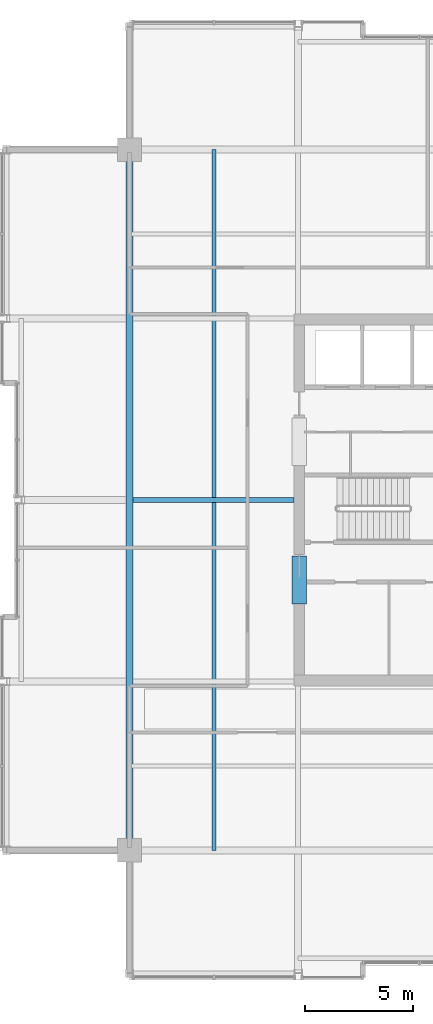
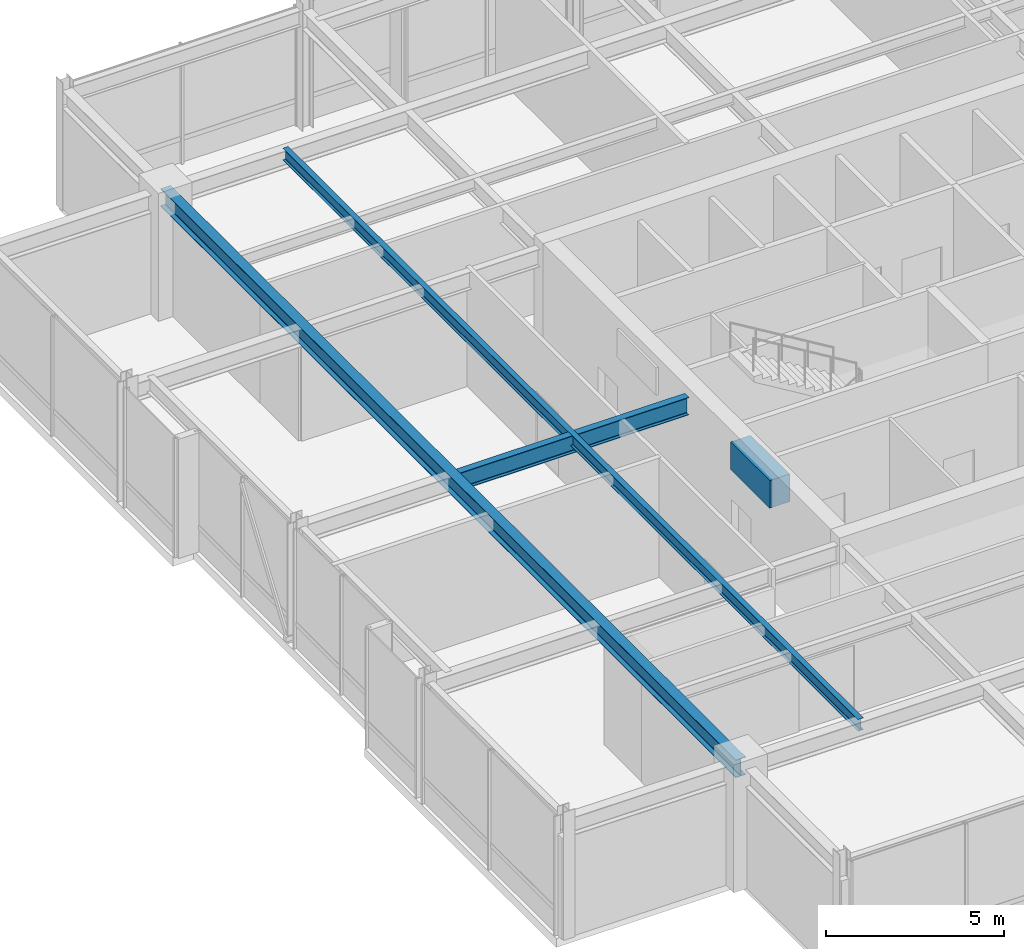
# One storey, part 13 of 34: 4 beams.
"""IFC4 building model written with IfcOpenShell, lengths in metres."""

from ifc_helpers import new_model, si_unit, direction, frame, origin, origin_2d, place, context, subcontext, project, spatial, rectangle, i_section, extrude, material, material_profile, profile_set, type_object, element, save


model = new_model("IFC4")

# Units and contexts
model_context = context("Model", 3, precision=1e-05, world=origin(), true_north=direction((0.0, 1.0)))
body_context = subcontext(model_context, "Body", "Model", "MODEL_VIEW")
ifc_project = project(units=[si_unit("LENGTHUNIT", "METRE"), si_unit("AREAUNIT", "SQUARE_METRE"), si_unit("VOLUMEUNIT", "CUBIC_METRE"), si_unit("PLANEANGLEUNIT", "RADIAN"), si_unit("MASSUNIT", "GRAM", prefix="KILO")], contexts=[model_context])

# Site, building, storey
site_placement = place(None, origin())
site = spatial("IfcSite", under=ifc_project, at=site_placement, CompositionType="ELEMENT")
building_placement = place(site_placement, origin())
building = spatial("IfcBuilding", under=site, at=building_placement, Name="Drelvath Grand Hotel", CompositionType="ELEMENT")
storey_placement = place(building_placement, frame((0.0, 0.0, 294.199951171875)))
storey = spatial("IfcBuildingStorey", under=building, at=storey_placement, Name="L77", CompositionType="ELEMENT", Elevation=294.199951171875)

# Beams
ifc_material_1 = material(Name="Steel ASTM A992 Gr 50", Category="steel")
ifc_material_profile_1 = material_profile(ifc_material_1, i_section(OverallWidth=0.177734375, OverallDepth=0.40673828125, WebThickness=0.0078125, FlangeThickness=0.0126953125, FilletRadius=0.014892578125, at=origin_2d()), Name="W16X40")
ifc_profile_set_1 = profile_set([ifc_material_profile_1], Name="Steel ASTM A992 Gr 50")
beam_type_1 = type_object("IfcBeamType", Name="Composite Floor Joist W16X40", PredefinedType="JOIST", material=ifc_profile_set_1)
beam_1_placement = place(storey_placement, frame((-12.300048828125, 10.800048828125, 3.896728515625), z_axis=(0.0, 1.0, 0.0), x_axis=(-1.0, 0.0, 0.0)))
element("IfcBeam", 1, at=beam_1_placement, inside=storey, type_object=beam_type_1, Name="L77 Wing Floor Joist J3", PredefinedType="JOIST", context=body_context, shape_type="SweptSolid", body=[
    extrude(i_section(OverallWidth=0.177734375, OverallDepth=0.40673828125, WebThickness=0.0078125, FlangeThickness=0.0126953125, FilletRadius=0.014892578125, at=origin_2d()), origin(), (0.0, 0.0, 1.0), 32.39990234375),
])
ifc_material_2 = material(Name="Concrete f'c 55 MPa", Category="concrete")
ifc_material_profile_2 = material_profile(ifc_material_2, rectangle(XDim=0.64990234375, YDim=0.949951171875, at=origin_2d()), Name="CB650X950")
ifc_profile_set_2 = profile_set([ifc_material_profile_2], Name="Concrete f'c 55 MPa")
beam_type_2 = type_object("IfcBeamType", Name="Core Coupling Lintel CB650X950", PredefinedType="LINTEL", material=ifc_profile_set_2)
beam_2_placement = place(storey_placement, frame((-8.35009765625, 22.199951171875, 3.625), z_axis=(0.0, 1.0, 0.0), x_axis=(-1.0, 0.0, 0.0)))
element("IfcBeam", 2, at=beam_2_placement, inside=storey, type_object=beam_type_2, Name="L77 Core Coupling Lintel WS", PredefinedType="LINTEL", context=body_context, shape_type="SweptSolid", body=[
    extrude(rectangle(XDim=0.64990234375, YDim=0.949951171875, at=origin_2d()), origin(), (0.0, 0.0, 1.0), 2.199951171875),
])
ifc_material_profile_3 = material_profile(ifc_material_1, i_section(OverallWidth=0.323974609375, OverallDepth=0.611083984375, WebThickness=0.0126953125, FlangeThickness=0.01904296875, FilletRadius=0.02197265625, at=origin_2d()), Name="W24X104")
ifc_profile_set_3 = profile_set([ifc_material_profile_3], Name="Steel ASTM A992 Gr 50")
beam_type_3 = type_object("IfcBeamType", Name="Primary Floor Girder W24X104", PredefinedType="BEAM", material=ifc_profile_set_3)
beam_3_placement = place(storey_placement, frame((-16.199951171875, 10.800048828125, 3.79443359375), z_axis=(0.0, 1.0, 0.0), x_axis=(-1.0, 0.0, 0.0)))
element("IfcBeam", 3, at=beam_3_placement, inside=storey, type_object=beam_type_3, Name="L77 Mega Ring Girder West", PredefinedType="BEAM", context=body_context, shape_type="SweptSolid", body=[
    extrude(i_section(OverallWidth=0.323974609375, OverallDepth=0.611083984375, WebThickness=0.0126953125, FlangeThickness=0.01904296875, FilletRadius=0.02197265625, at=origin_2d()), origin(), (0.0, 0.0, 1.0), 32.39990234375),
])
ifc_material_profile_4 = material_profile(ifc_material_1, i_section(OverallWidth=0.228271484375, OverallDepth=0.607666015625, WebThickness=0.01123046875, FlangeThickness=0.017333984375, FilletRadius=0.02001953125, at=origin_2d()), Name="W24X76")
ifc_profile_set_4 = profile_set([ifc_material_profile_4], Name="Steel ASTM A992 Gr 50")
beam_type_4 = type_object("IfcBeamType", Name="Primary Floor Girder W24X76", PredefinedType="BEAM", material=ifc_profile_set_4)
beam_4_placement = place(storey_placement, frame((-16.0380859375, 27.0, 3.796142578125), z_axis=(1.0, 0.0, 0.0), x_axis=(0.0, 1.0, 0.0)))
element("IfcBeam", 4, at=beam_4_placement, inside=storey, type_object=beam_type_4, Name="L77 West Core Tie E", PredefinedType="BEAM", context=body_context, shape_type="SweptSolid", body=[
    extrude(i_section(OverallWidth=0.228271484375, OverallDepth=0.607666015625, WebThickness=0.01123046875, FlangeThickness=0.017333984375, FilletRadius=0.02001953125, at=origin_2d()), origin(), (0.0, 0.0, 1.0), 7.43798828125),
])

save(model, "model.ifc")
